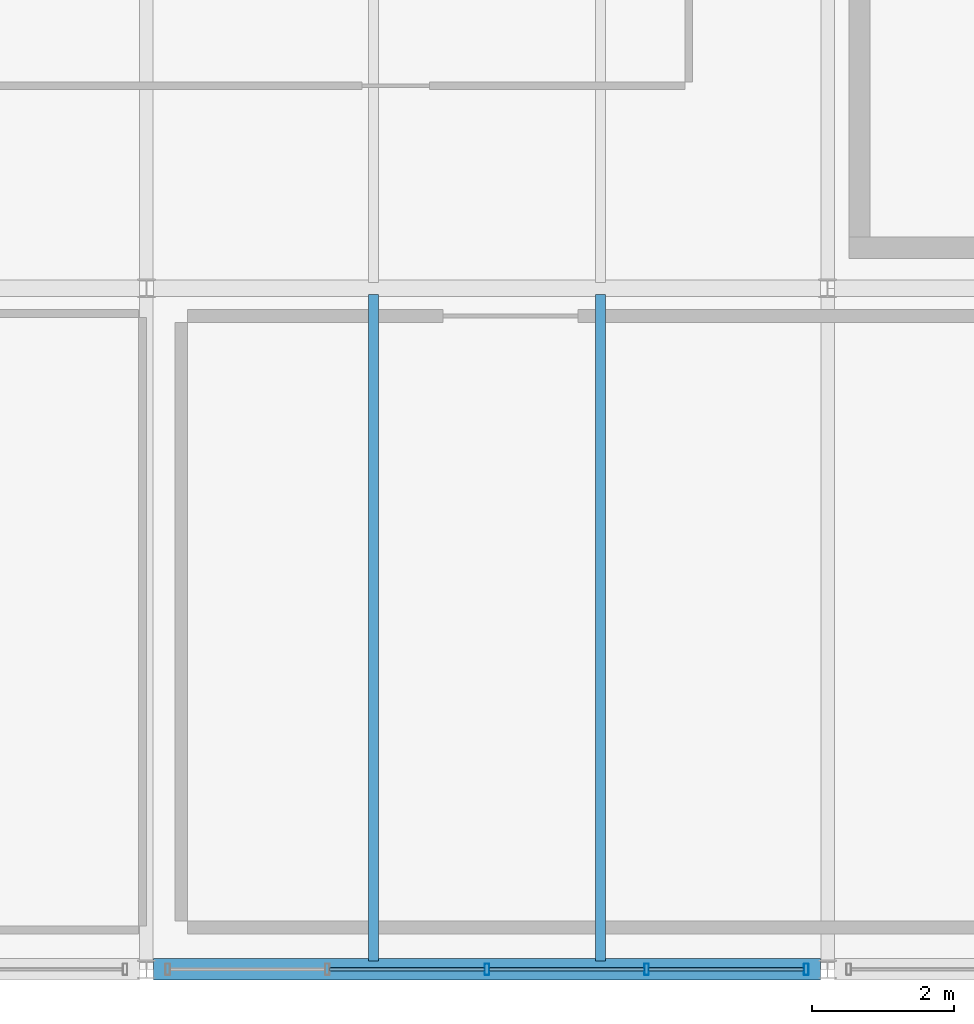
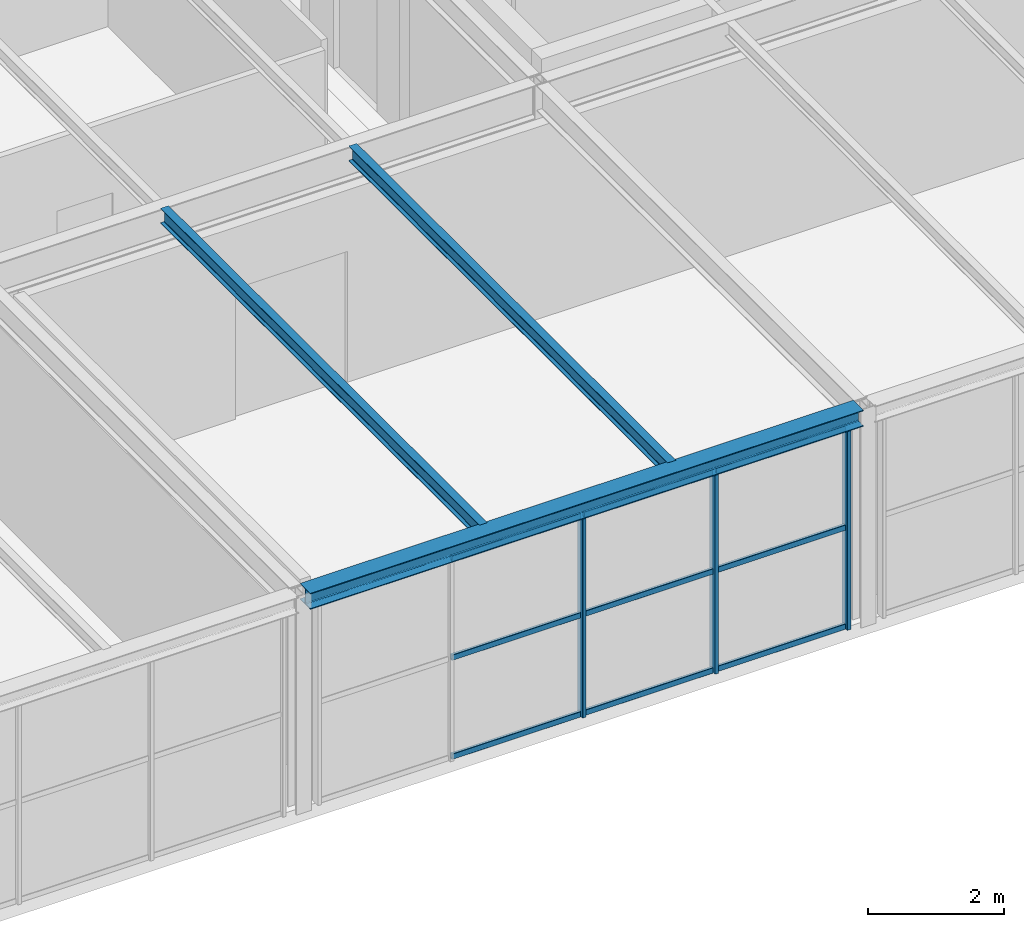
# One storey, part 20 of 33: 12 members, 3 beams, 1 element without a shape of its own.
"""IFC4 building model written with IfcOpenShell, lengths in metres."""

from ifc_helpers import new_model, si_unit, direction, frame, origin, origin_2d, place, context, subcontext, project, spatial, hollow_rectangle, i_section, extrude, material, material_profile, profile_set, type_object, element, aggregate, save


model = new_model("IFC4")

# Units and contexts
model_context = context("Model", 3, precision=1e-05, world=origin(), true_north=direction((0.0, 1.0)))
body_context = subcontext(model_context, "Body", "Model", "MODEL_VIEW")
ifc_project = project(units=[si_unit("LENGTHUNIT", "METRE"), si_unit("AREAUNIT", "SQUARE_METRE"), si_unit("VOLUMEUNIT", "CUBIC_METRE"), si_unit("PLANEANGLEUNIT", "RADIAN"), si_unit("MASSUNIT", "GRAM", prefix="KILO")], contexts=[model_context])

# Site, building, storey
site_placement = place(None, origin())
site = spatial("IfcSite", under=ifc_project, at=site_placement, CompositionType="ELEMENT")
building_placement = place(site_placement, origin())
building = spatial("IfcBuilding", under=site, at=building_placement, Name="Coralgate Yard Interchange", CompositionType="ELEMENT")
storey_placement = place(building_placement, frame((0.0, 0.0, 23.10009765625)))
storey = spatial("IfcBuildingStorey", under=building, at=storey_placement, Name="L05", CompositionType="ELEMENT", Elevation=23.10009765625)

# Beams
ifc_material_1 = material(Name="Structural steel S355J2", Category="steel")
ifc_material_profile_1 = material_profile(ifc_material_1, i_section(OverallWidth=0.135009765625, OverallDepth=0.27001953125, WebThickness=0.006591796875, FlangeThickness=0.01025390625, FilletRadius=0.014892578125, at=origin_2d()), Name="IPE 270")
ifc_profile_set_1 = profile_set([ifc_material_profile_1], Name="Structural steel S355J2")
beam_type_1 = type_object("IfcBeamType", Name="BM-SJ-3", PredefinedType="JOIST", material=ifc_profile_set_1)
for number, where, z_axis, x_axis, name in (
    (1, (41.60009765625, 0.1201171875, 3.784912109375), (0.0, 1.0, 0.0), (-1.0, 0.0, 0.0), "L05 composite floor joist 4-0-1"),
    (2, (44.800048828125, 0.1201171875, 3.784912109375), (0.0, 1.0, 0.0), (-1.0, 0.0, 0.0), "L05 composite floor joist 4-0-2"),
):
    element("IfcBeam", number, at=place(storey_placement, frame(where, z_axis=z_axis, x_axis=x_axis)), inside=storey, type_object=beam_type_1, Name=name, PredefinedType="JOIST", context=body_context, shape_type="SweptSolid", body=[
        extrude(i_section(OverallWidth=0.135009765625, OverallDepth=0.27001953125, WebThickness=0.006591796875, FlangeThickness=0.01025390625, FilletRadius=0.014892578125, at=origin_2d()), origin(), (0.0, 0.0, 1.0), 9.395751953125),
    ])
ifc_material_profile_2 = material_profile(ifc_material_1, i_section(OverallWidth=0.300048828125, OverallDepth=0.2900390625, WebThickness=0.008544921875, FlangeThickness=0.013916015625, FilletRadius=0.027099609375, at=origin_2d()), Name="HEA 300")
ifc_profile_set_2 = profile_set([ifc_material_profile_2], Name="Structural steel S355J2")
beam_type_2 = type_object("IfcBeamType", Name="BM-SP-2", PredefinedType="SPANDREL", material=ifc_profile_set_2)
beam_placement = place(storey_placement, frame((38.498046875, 0.0, 3.77490234375), z_axis=(1.0, 0.0, 0.0), x_axis=(0.0, 1.0, 0.0)))
element("IfcBeam", 3, at=beam_placement, inside=storey, type_object=beam_type_2, Name="L05 primary grid beam Y0 X4-5", PredefinedType="SPANDREL", context=body_context, shape_type="SweptSolid", body=[
    extrude(i_section(OverallWidth=0.300048828125, OverallDepth=0.2900390625, WebThickness=0.008544921875, FlangeThickness=0.013916015625, FilletRadius=0.027099609375, at=origin_2d()), origin(), (0.0, 0.0, 1.0), 9.40380859375),
])

# Curtain wall, members
ifc_material_2 = material(Name="Anodised coastal aluminium and solar-control low-E glass", Category="aluminium")
curtain_wall_type = type_object("IfcCurtainWallType", Name="CW-CW-L05-A", PredefinedType="NOTDEFINED", material=ifc_material_2)
curtain_wall_placement = place(storey_placement, origin())
curtain_wall = element("IfcCurtainWall", 4, at=curtain_wall_placement, inside=storey, type_object=curtain_wall_type, Name="L05 unitised curtain wall CW-L05-S-04-00", PredefinedType="NOTDEFINED")
ifc_material_3 = material(Name="Anodised coastal aluminium 6063-T6", Category="aluminium")
ifc_material_profile_3 = material_profile(ifc_material_3, hollow_rectangle(XDim=0.06494140625, YDim=0.159912109375, WallThickness=0.00390625, InnerFilletRadius=0.00390625, OuterFilletRadius=0.008056640625, at=origin_2d()), Name="ALU 65x160x4")
ifc_profile_set_3 = profile_set([ifc_material_profile_3], Name="Anodised coastal aluminium 6063-T6")
member_type_1 = type_object("IfcMemberType", Name="MB-MUL-160", PredefinedType="MULLION", material=ifc_profile_set_3)
member_1_placement = place(storey_placement, frame((47.699951171875, 0.0, 0.0), z_axis=(0.0, 0.0, 1.0), x_axis=(1.0, 0.0, 0.0)))
member_1 = element("IfcMember", 5, at=member_1_placement, type_object=member_type_1, Name="CW-L05-S-04-00 vertical mullion 1", PredefinedType="MULLION", context=body_context, shape_type="SweptSolid", body=[
    extrude(hollow_rectangle(XDim=0.06494140625, YDim=0.159912109375, WallThickness=0.00390625, InnerFilletRadius=0.00390625, OuterFilletRadius=0.008056640625, at=origin_2d()), origin(), (0.0, 0.0, 1.0), 3.6298828125),
])
member_2_placement = place(storey_placement, frame((45.449951171875, 0.0, 0.0), z_axis=(0.0, 0.0, 1.0), x_axis=(1.0, 0.0, 0.0)))
member_2 = element("IfcMember", 6, at=member_2_placement, type_object=member_type_1, Name="CW-L05-S-04-00 vertical mullion 2", PredefinedType="MULLION", context=body_context, shape_type="SweptSolid", body=[
    extrude(hollow_rectangle(XDim=0.06494140625, YDim=0.159912109375, WallThickness=0.00390625, InnerFilletRadius=0.00390625, OuterFilletRadius=0.008056640625, at=origin_2d()), origin(), (0.0, 0.0, 1.0), 3.6298828125),
])
member_3_placement = place(storey_placement, frame((43.199951171875, 0.0, 0.0), z_axis=(0.0, 0.0, 1.0), x_axis=(1.0, 0.0, 0.0)))
member_3 = element("IfcMember", 7, at=member_3_placement, type_object=member_type_1, Name="CW-L05-S-04-00 vertical mullion 3", PredefinedType="MULLION", context=body_context, shape_type="SweptSolid", body=[
    extrude(hollow_rectangle(XDim=0.06494140625, YDim=0.159912109375, WallThickness=0.00390625, InnerFilletRadius=0.00390625, OuterFilletRadius=0.008056640625, at=origin_2d()), origin(), (0.0, 0.0, 1.0), 3.6298828125),
])
ifc_material_profile_4 = material_profile(ifc_material_3, hollow_rectangle(XDim=0.050048828125, YDim=0.10009765625, WallThickness=0.0029296875, InnerFilletRadius=0.0029296875, OuterFilletRadius=0.006103515625, at=origin_2d()), Name="ALU 50x100x3")
ifc_profile_set_4 = profile_set([ifc_material_profile_4], Name="Anodised coastal aluminium 6063-T6")
member_type_2 = type_object("IfcMemberType", Name="MB-TRN-100", PredefinedType="USERDEFINED", material=ifc_profile_set_4)
member_4_placement = place(storey_placement, frame((47.669921875, 0.0, 0.034912109375), z_axis=(-1.0, 0.0, 0.0), x_axis=(0.0, -1.0, 0.0)))
member_4 = element("IfcMember", 8, at=member_4_placement, type_object=member_type_2, Name="CW-L05-S-04-00 horizontal transom 1-1", ObjectType="TRANSOM", PredefinedType="USERDEFINED", context=body_context, shape_type="SweptSolid", body=[
    extrude(hollow_rectangle(XDim=0.050048828125, YDim=0.10009765625, WallThickness=0.0029296875, InnerFilletRadius=0.0029296875, OuterFilletRadius=0.006103515625, at=origin_2d()), origin(), (0.0, 0.0, 1.0), 2.18994140625),
])
member_5_placement = place(storey_placement, frame((47.669921875, 0.0, 1.81494140625), z_axis=(-1.0, 0.0, 0.0), x_axis=(0.0, -1.0, 0.0)))
member_5 = element("IfcMember", 9, at=member_5_placement, type_object=member_type_2, Name="CW-L05-S-04-00 horizontal transom 1-2", ObjectType="TRANSOM", PredefinedType="USERDEFINED", context=body_context, shape_type="SweptSolid", body=[
    extrude(hollow_rectangle(XDim=0.050048828125, YDim=0.10009765625, WallThickness=0.0029296875, InnerFilletRadius=0.0029296875, OuterFilletRadius=0.006103515625, at=origin_2d()), origin(), (0.0, 0.0, 1.0), 2.18994140625),
])
member_6_placement = place(storey_placement, frame((47.669921875, 0.0, 3.594970703125), z_axis=(-1.0, 0.0, 0.0), x_axis=(0.0, -1.0, 0.0)))
member_6 = element("IfcMember", 10, at=member_6_placement, type_object=member_type_2, Name="CW-L05-S-04-00 horizontal transom 1-3", ObjectType="TRANSOM", PredefinedType="USERDEFINED", context=body_context, shape_type="SweptSolid", body=[
    extrude(hollow_rectangle(XDim=0.050048828125, YDim=0.10009765625, WallThickness=0.0029296875, InnerFilletRadius=0.0029296875, OuterFilletRadius=0.006103515625, at=origin_2d()), origin(), (0.0, 0.0, 1.0), 2.18994140625),
])
member_7_placement = place(storey_placement, frame((45.419921875, 0.0, 0.034912109375), z_axis=(-1.0, 0.0, 0.0), x_axis=(0.0, -1.0, 0.0)))
member_7 = element("IfcMember", 11, at=member_7_placement, type_object=member_type_2, Name="CW-L05-S-04-00 horizontal transom 2-1", ObjectType="TRANSOM", PredefinedType="USERDEFINED", context=body_context, shape_type="SweptSolid", body=[
    extrude(hollow_rectangle(XDim=0.050048828125, YDim=0.10009765625, WallThickness=0.0029296875, InnerFilletRadius=0.0029296875, OuterFilletRadius=0.006103515625, at=origin_2d()), origin(), (0.0, 0.0, 1.0), 2.18994140625),
])
member_8_placement = place(storey_placement, frame((45.419921875, 0.0, 1.81494140625), z_axis=(-1.0, 0.0, 0.0), x_axis=(0.0, -1.0, 0.0)))
member_8 = element("IfcMember", 12, at=member_8_placement, type_object=member_type_2, Name="CW-L05-S-04-00 horizontal transom 2-2", ObjectType="TRANSOM", PredefinedType="USERDEFINED", context=body_context, shape_type="SweptSolid", body=[
    extrude(hollow_rectangle(XDim=0.050048828125, YDim=0.10009765625, WallThickness=0.0029296875, InnerFilletRadius=0.0029296875, OuterFilletRadius=0.006103515625, at=origin_2d()), origin(), (0.0, 0.0, 1.0), 2.18994140625),
])
member_9_placement = place(storey_placement, frame((45.419921875, 0.0, 3.594970703125), z_axis=(-1.0, 0.0, 0.0), x_axis=(0.0, -1.0, 0.0)))
member_9 = element("IfcMember", 13, at=member_9_placement, type_object=member_type_2, Name="CW-L05-S-04-00 horizontal transom 2-3", ObjectType="TRANSOM", PredefinedType="USERDEFINED", context=body_context, shape_type="SweptSolid", body=[
    extrude(hollow_rectangle(XDim=0.050048828125, YDim=0.10009765625, WallThickness=0.0029296875, InnerFilletRadius=0.0029296875, OuterFilletRadius=0.006103515625, at=origin_2d()), origin(), (0.0, 0.0, 1.0), 2.18994140625),
])
member_10_placement = place(storey_placement, frame((43.169921875, 0.0, 0.034912109375), z_axis=(-1.0, 0.0, 0.0), x_axis=(0.0, -1.0, 0.0)))
member_10 = element("IfcMember", 14, at=member_10_placement, type_object=member_type_2, Name="CW-L05-S-04-00 horizontal transom 3-1", ObjectType="TRANSOM", PredefinedType="USERDEFINED", context=body_context, shape_type="SweptSolid", body=[
    extrude(hollow_rectangle(XDim=0.050048828125, YDim=0.10009765625, WallThickness=0.0029296875, InnerFilletRadius=0.0029296875, OuterFilletRadius=0.006103515625, at=origin_2d()), origin(), (0.0, 0.0, 1.0), 2.18994140625),
])
member_11_placement = place(storey_placement, frame((43.169921875, 0.0, 1.81494140625), z_axis=(-1.0, 0.0, 0.0), x_axis=(0.0, -1.0, 0.0)))
member_11 = element("IfcMember", 15, at=member_11_placement, type_object=member_type_2, Name="CW-L05-S-04-00 horizontal transom 3-2", ObjectType="TRANSOM", PredefinedType="USERDEFINED", context=body_context, shape_type="SweptSolid", body=[
    extrude(hollow_rectangle(XDim=0.050048828125, YDim=0.10009765625, WallThickness=0.0029296875, InnerFilletRadius=0.0029296875, OuterFilletRadius=0.006103515625, at=origin_2d()), origin(), (0.0, 0.0, 1.0), 2.18994140625),
])
member_12_placement = place(storey_placement, frame((43.169921875, 0.0, 3.594970703125), z_axis=(-1.0, 0.0, 0.0), x_axis=(0.0, -1.0, 0.0)))
member_12 = element("IfcMember", 16, at=member_12_placement, type_object=member_type_2, Name="CW-L05-S-04-00 horizontal transom 3-3", ObjectType="TRANSOM", PredefinedType="USERDEFINED", context=body_context, shape_type="SweptSolid", body=[
    extrude(hollow_rectangle(XDim=0.050048828125, YDim=0.10009765625, WallThickness=0.0029296875, InnerFilletRadius=0.0029296875, OuterFilletRadius=0.006103515625, at=origin_2d()), origin(), (0.0, 0.0, 1.0), 2.18994140625),
])
aggregate(curtain_wall, [member_1, member_2, member_3, member_4, member_5, member_6, member_7, member_8, member_9, member_10, member_11, member_12])

save(model, "model.ifc")
